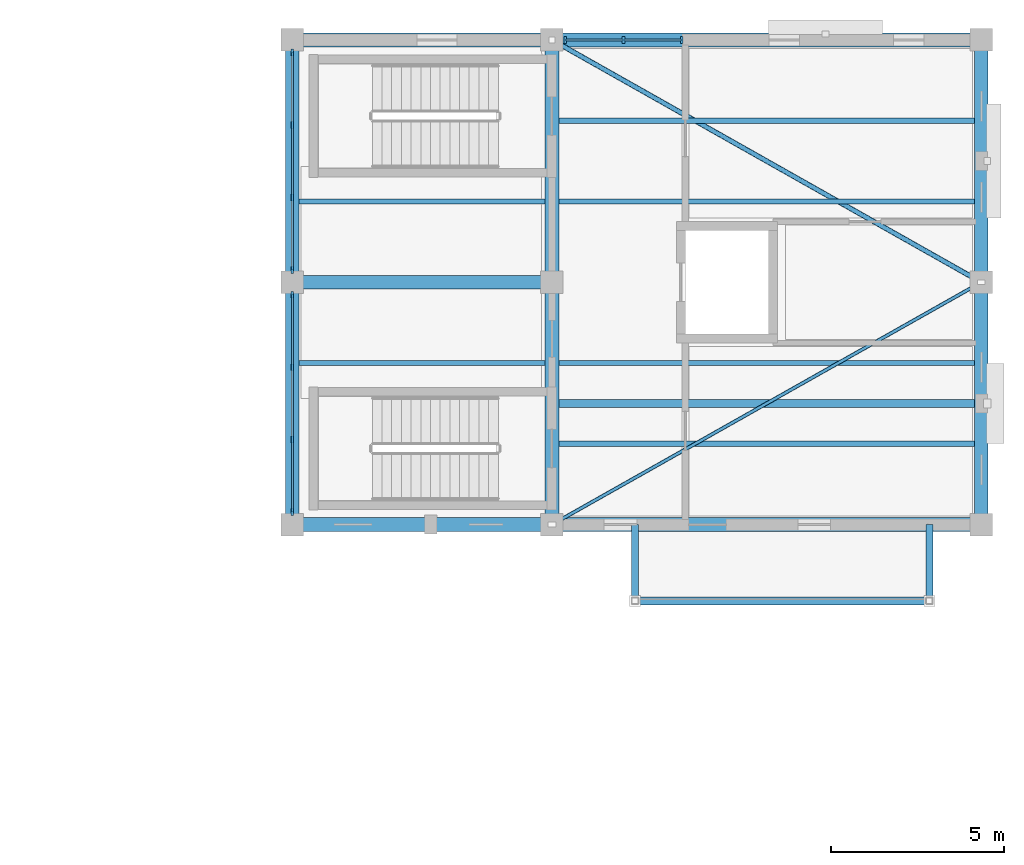
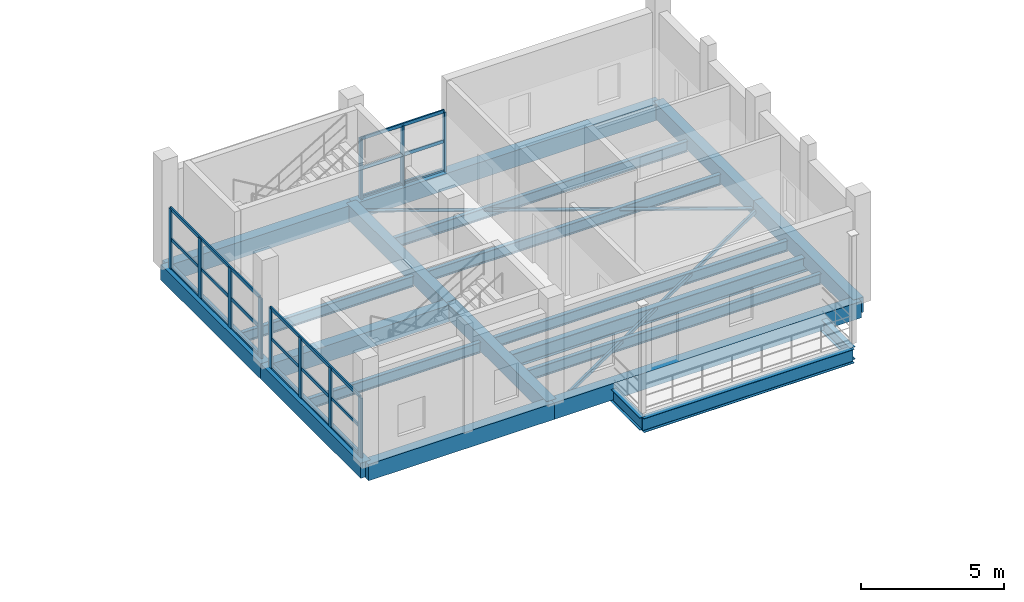
# One storey, part 17 of 40: 22 members, 21 beams, 3 elements without a shape of their own.
"""IFC4 building model written with IfcOpenShell, lengths in metres."""

from ifc_helpers import new_model, si_unit, direction, frame, origin, origin_2d, place, context, subcontext, project, spatial, rectangle, hollow_rectangle, hollow_circle, i_section, extrude, material, layer, layer_set, material_profile, profile_set, type_object, element, aggregate, save


model = new_model("IFC4")

# Units and contexts
model_context = context("Model", 3, precision=1e-05, world=origin(), true_north=direction((0.0, 1.0)))
body_context = subcontext(model_context, "Body", "Model", "MODEL_VIEW")
ifc_project = project(units=[si_unit("LENGTHUNIT", "METRE"), si_unit("AREAUNIT", "SQUARE_METRE"), si_unit("VOLUMEUNIT", "CUBIC_METRE"), si_unit("PLANEANGLEUNIT", "RADIAN"), si_unit("MASSUNIT", "GRAM", prefix="KILO")], contexts=[model_context])

# Site, building, storey
site_placement = place(None, origin())
site = spatial("IfcSite", under=ifc_project, at=site_placement, CompositionType="ELEMENT")
building_placement = place(site_placement, origin())
building = spatial("IfcBuilding", under=site, at=building_placement, Name="Trellovar Central Fire Station", CompositionType="ELEMENT")
storey_placement = place(building_placement, frame((0.0, 0.0, 12.75)))
storey = spatial("IfcBuildingStorey", under=building, at=storey_placement, Name="L04", CompositionType="ELEMENT", Elevation=12.75)

# Beams
ifc_material_1 = material(Name="Concrete C40/50", Category="concrete")
ifc_material_profile_1 = material_profile(ifc_material_1, rectangle(XDim=0.39990234375, YDim=0.699951171875, at=origin_2d()), Name="RC400X700")
ifc_profile_set_1 = profile_set([ifc_material_profile_1], Name="Concrete C40/50")
beam_type_1 = type_object("IfcBeamType", Name="BM-G3", PredefinedType="BEAM", material=ifc_profile_set_1)
beam_1_placement = place(storey_placement, frame((141.10009765625, 59.0, -0.35009765625), z_axis=(1.0, 0.0, 0.0), x_axis=(0.0, 1.0, 0.0)))
element("IfcBeam", 1, at=beam_1_placement, inside=storey, type_object=beam_type_1, Name="L04 beam G-3", PredefinedType="BEAM", context=body_context, shape_type="SweptSolid", body=[
    extrude(rectangle(XDim=0.39990234375, YDim=0.699951171875, at=origin_2d()), origin(), (0.0, 0.0, 1.0), 7.5),
])
beam_2_placement = place(storey_placement, frame((148.60009765625, 59.0, -0.35009765625), z_axis=(1.0, 0.0, 0.0), x_axis=(0.0, 1.0, 0.0)))
element("IfcBeam", 2, at=beam_2_placement, inside=storey, type_object=beam_type_1, Name="L04 beam G-3", PredefinedType="BEAM", context=body_context, shape_type="SweptSolid", body=[
    extrude(rectangle(XDim=0.39990234375, YDim=0.699951171875, at=origin_2d()), origin(), (0.0, 0.0, 1.0), 12.39990234375),
])
for number, where, z_axis, x_axis, name in (
    (3, (141.10009765625, 66.0, -0.35009765625), (1.0, 0.0, 0.0), (0.0, 1.0, 0.0), "L04 beam G-3"),
    (4, (141.10009765625, 73.0, -0.35009765625), (1.0, 0.0, 0.0), (0.0, 1.0, 0.0), "L04 beam G-3"),
):
    element("IfcBeam", number, at=place(storey_placement, frame(where, z_axis=z_axis, x_axis=x_axis)), inside=storey, type_object=beam_type_1, Name=name, PredefinedType="BEAM", context=body_context, shape_type="SweptSolid", body=[
        extrude(rectangle(XDim=0.39990234375, YDim=0.699951171875, at=origin_2d()), origin(), (0.0, 0.0, 1.0), 7.5),
    ])
beam_3_placement = place(storey_placement, frame((148.60009765625, 73.0, -0.35009765625), z_axis=(1.0, 0.0, 0.0), x_axis=(0.0, 1.0, 0.0)))
element("IfcBeam", 5, at=beam_3_placement, inside=storey, type_object=beam_type_1, Name="L04 beam G-3", PredefinedType="BEAM", context=body_context, shape_type="SweptSolid", body=[
    extrude(rectangle(XDim=0.39990234375, YDim=0.699951171875, at=origin_2d()), origin(), (0.0, 0.0, 1.0), 12.39990234375),
])
ifc_material_2 = material(Name="Concrete C40/50", Category="concrete")
ifc_material_profile_2 = material_profile(ifc_material_2, rectangle(XDim=0.39990234375, YDim=0.64990234375, at=origin_2d()), Name="RC400X650")
ifc_profile_set_2 = profile_set([ifc_material_profile_2], Name="Concrete C40/50")
beam_type_2 = type_object("IfcBeamType", Name="BM-G4", PredefinedType="BEAM", material=ifc_profile_set_2)
for number, where, z_axis, x_axis, name in (
    (6, (141.10009765625, 59.0, -0.324951171875), (0.0, 1.0, 0.0), (-1.0, 0.0, 0.0), "L04 beam G-4"),
    (7, (141.10009765625, 66.0, -0.324951171875), (0.0, 1.0, 0.0), (-1.0, 0.0, 0.0), "L04 beam G-4"),
    (8, (148.60009765625, 59.0, -0.324951171875), (0.0, 1.0, 0.0), (-1.0, 0.0, 0.0), "L04 beam G-4"),
    (9, (148.60009765625, 66.0, -0.324951171875), (0.0, 1.0, 0.0), (-1.0, 0.0, 0.0), "L04 beam G-4"),
    (10, (161.0, 59.0, -0.324951171875), (0.0, 1.0, 0.0), (-1.0, 0.0, 0.0), "L04 beam G-4"),
    (11, (161.0, 66.0, -0.324951171875), (0.0, 1.0, 0.0), (-1.0, 0.0, 0.0), "L04 beam G-4"),
):
    element("IfcBeam", number, at=place(storey_placement, frame(where, z_axis=z_axis, x_axis=x_axis)), inside=storey, type_object=beam_type_2, Name=name, PredefinedType="BEAM", context=body_context, shape_type="SweptSolid", body=[
        extrude(rectangle(XDim=0.39990234375, YDim=0.64990234375, at=origin_2d()), origin(), (0.0, 0.0, 1.0), 7.0),
    ])
ifc_material_3 = material(Name="Steel ASTM A992 Grade 50", Category="steel")
ifc_material_profile_3 = material_profile(ifc_material_3, i_section(OverallWidth=0.15283203125, OverallDepth=0.45458984375, WebThickness=0.008056640625, FlangeThickness=0.01318359375, FilletRadius=0.0126953125, at=origin_2d()), Name="W18X40")
ifc_profile_set_3 = profile_set([ifc_material_profile_3], Name="Steel ASTM A992 Grade 50")
beam_type_3 = type_object("IfcBeamType", Name="BM-SW10", PredefinedType="JOIST", material=ifc_profile_set_3)
for number, where, z_axis, x_axis, name in (
    (12, (141.294921875, 63.666748046875, -0.46728515625), (1.0, 0.0, 0.0), (0.0, 1.0, 0.0), "L04 beam SB-10"),
    (13, (141.294921875, 68.333251953125, -0.46728515625), (1.0, 0.0, 0.0), (0.0, 1.0, 0.0), "L04 beam SB-10"),
):
    element("IfcBeam", number, at=place(storey_placement, frame(where, z_axis=z_axis, x_axis=x_axis)), inside=storey, type_object=beam_type_3, Name=name, PredefinedType="JOIST", context=body_context, shape_type="SweptSolid", body=[
        extrude(i_section(OverallWidth=0.15283203125, OverallDepth=0.45458984375, WebThickness=0.008056640625, FlangeThickness=0.01318359375, FilletRadius=0.0126953125, at=origin_2d()), origin(), (0.0, 0.0, 1.0), 7.110107421875),
    ])
for number, where, z_axis, x_axis, name in (
    (14, (148.794921875, 61.333251953125, -0.46728515625), (1.0, 0.0, 0.0), (0.0, 1.0, 0.0), "L04 beam SB-10"),
    (15, (148.794921875, 63.666748046875, -0.46728515625), (1.0, 0.0, 0.0), (0.0, 1.0, 0.0), "L04 beam SB-10"),
    (16, (148.794921875, 68.333251953125, -0.46728515625), (1.0, 0.0, 0.0), (0.0, 1.0, 0.0), "L04 beam SB-10"),
    (17, (148.794921875, 70.666748046875, -0.46728515625), (1.0, 0.0, 0.0), (0.0, 1.0, 0.0), "L04 beam SB-10"),
):
    element("IfcBeam", number, at=place(storey_placement, frame(where, z_axis=z_axis, x_axis=x_axis)), inside=storey, type_object=beam_type_3, Name=name, PredefinedType="JOIST", context=body_context, shape_type="SweptSolid", body=[
        extrude(i_section(OverallWidth=0.15283203125, OverallDepth=0.45458984375, WebThickness=0.008056640625, FlangeThickness=0.01318359375, FilletRadius=0.0126953125, at=origin_2d()), origin(), (0.0, 0.0, 1.0), 12.010009765625),
    ])
ifc_material_4 = material(Name="Steel ASTM A992 Grade 50", Category="steel")
ifc_material_profile_4 = material_profile(ifc_material_4, i_section(OverallWidth=0.22900390625, OverallDepth=0.612060546875, WebThickness=0.011962890625, FlangeThickness=0.01953125, FilletRadius=0.01513671875, at=origin_2d()), Name="W24X84")
ifc_profile_set_4 = profile_set([ifc_material_profile_4], Name="Steel ASTM A992 Grade 50")
beam_type_4 = type_object("IfcBeamType", Name="BM-SW5", PredefinedType="BEAM", material=ifc_profile_set_4)
beam_4_placement = place(storey_placement, frame((148.60009765625, 62.5, -0.546142578125), z_axis=(1.0, 0.0, 0.0), x_axis=(0.0, 1.0, 0.0)))
element("IfcBeam", 18, at=beam_4_placement, inside=storey, type_object=beam_type_4, Name="V2 L04 44.5 kN rappel anchor beam", PredefinedType="BEAM", context=body_context, shape_type="SweptSolid", body=[
    extrude(i_section(OverallWidth=0.22900390625, OverallDepth=0.612060546875, WebThickness=0.011962890625, FlangeThickness=0.01953125, FilletRadius=0.01513671875, at=origin_2d()), origin(), (0.0, 0.0, 1.0), 12.39990234375),
])
ifc_material_5 = material(Name="Steel ASTM A992 Grade 50", Category="steel")
ifc_material_profile_5 = material_profile(ifc_material_5, i_section(OverallWidth=0.227783203125, OverallDepth=0.60205078125, WebThickness=0.010498046875, FlangeThickness=0.014892578125, FilletRadius=0.01513671875, at=origin_2d()), Name="W24X68")
ifc_profile_set_5 = profile_set([ifc_material_profile_5], Name="Steel ASTM A992 Grade 50")
beam_type_5 = type_object("IfcBeamType", Name="BM-SW6", PredefinedType="BEAM", material=ifc_profile_set_5)
beam_5_placement = place(storey_placement, frame((151.0, 56.800048828125, -0.531005859375), z_axis=(1.0, 0.0, 0.0), x_axis=(0.0, 1.0, 0.0)))
element("IfcBeam", 19, at=beam_5_placement, inside=storey, type_object=beam_type_5, Name="V2 L04 balcony edge beam", PredefinedType="BEAM", context=body_context, shape_type="SweptSolid", body=[
    extrude(i_section(OverallWidth=0.227783203125, OverallDepth=0.60205078125, WebThickness=0.010498046875, FlangeThickness=0.014892578125, FilletRadius=0.01513671875, at=origin_2d()), origin(), (0.0, 0.0, 1.0), 8.5),
])
ifc_material_6 = material(Name="Steel ASTM A992 Grade 50", Category="steel")
ifc_material_profile_6 = material_profile(ifc_material_6, i_section(OverallWidth=0.209228515625, OverallDepth=0.533447265625, WebThickness=0.01025390625, FlangeThickness=0.015625, FilletRadius=0.013916015625, at=origin_2d()), Name="W21X62")
ifc_profile_set_6 = profile_set([ifc_material_profile_6], Name="Steel ASTM A992 Grade 50")
beam_type_6 = type_object("IfcBeamType", Name="BM-SW7", PredefinedType="BEAM", material=ifc_profile_set_6)
for number, where, z_axis, x_axis, name in (
    (20, (151.0, 56.800048828125, -0.49658203125), (0.0, 1.0, 0.0), (-1.0, 0.0, 0.0), "V2 L04 balcony tie beam"),
    (21, (159.5, 56.800048828125, -0.49658203125), (0.0, 1.0, 0.0), (-1.0, 0.0, 0.0), "V2 L04 balcony tie beam"),
):
    element("IfcBeam", number, at=place(storey_placement, frame(where, z_axis=z_axis, x_axis=x_axis)), inside=storey, type_object=beam_type_6, Name=name, PredefinedType="BEAM", context=body_context, shape_type="SweptSolid", body=[
        extrude(i_section(OverallWidth=0.209228515625, OverallDepth=0.533447265625, WebThickness=0.01025390625, FlangeThickness=0.015625, FilletRadius=0.013916015625, at=origin_2d()), origin(), (0.0, 0.0, 1.0), 2.199951171875),
    ])

# Curtain wall, members
ifc_material_7 = material(Name="Thermally broken bronze anodized aluminum", Category="aluminium")
ifc_layer_1 = layer(ifc_material_7, 0.159912109375)
ifc_layer_set_1 = layer_set([ifc_layer_1], Name="Thermally broken bronze anodized aluminum")
curtain_wall_type_1 = type_object("IfcCurtainWallType", Name="CW-08", PredefinedType="NOTDEFINED", material=ifc_layer_set_1)
curtain_wall_1_placement = place(storey_placement, origin())
curtain_wall_1 = element("IfcCurtainWall", 22, at=curtain_wall_1_placement, inside=storey, type_object=curtain_wall_type_1, Name="V2 L04 north lobby curtain wall", PredefinedType="NOTDEFINED")
ifc_material_8 = material(Name="Thermally broken bronze anodized aluminum", Category="aluminium")
ifc_material_profile_7 = material_profile(ifc_material_8, rectangle(XDim=0.074951171875, YDim=0.199951171875, at=origin_2d()), Name="ALU75X200")
ifc_profile_set_7 = profile_set([ifc_material_profile_7], Name="Thermally broken bronze anodized aluminum")
member_type_1 = type_object("IfcMemberType", Name="CWM-1", PredefinedType="MULLION", material=ifc_profile_set_7)
member_1_placement = place(storey_placement, frame((152.35009765625, 73.0, 0.0), z_axis=(0.0, 0.0, 1.0), x_axis=(1.0, 0.0, 0.0)))
member_1 = element("IfcMember", 23, at=member_1_placement, type_object=member_type_1, Name="CW3-L04-0162 mullion 1", PredefinedType="MULLION", context=body_context, shape_type="SweptSolid", body=[
    extrude(rectangle(XDim=0.074951171875, YDim=0.199951171875, at=origin_2d()), origin(), (0.0, 0.0, 1.0), 2.550048828125),
])
member_2_placement = place(storey_placement, frame((150.6650390625, 73.0, 0.0), z_axis=(0.0, 0.0, 1.0), x_axis=(1.0, 0.0, 0.0)))
member_2 = element("IfcMember", 24, at=member_2_placement, type_object=member_type_1, Name="CW3-L04-0162 mullion 2", PredefinedType="MULLION", context=body_context, shape_type="SweptSolid", body=[
    extrude(rectangle(XDim=0.074951171875, YDim=0.199951171875, at=origin_2d()), origin(), (0.0, 0.0, 1.0), 2.550048828125),
])
member_3_placement = place(storey_placement, frame((148.97998046875, 73.0, 0.0), z_axis=(0.0, 0.0, 1.0), x_axis=(1.0, 0.0, 0.0)))
member_3 = element("IfcMember", 25, at=member_3_placement, type_object=member_type_1, Name="CW3-L04-0162 mullion 3", PredefinedType="MULLION", context=body_context, shape_type="SweptSolid", body=[
    extrude(rectangle(XDim=0.074951171875, YDim=0.199951171875, at=origin_2d()), origin(), (0.0, 0.0, 1.0), 2.550048828125),
])

ifc_material_9 = material(Name="Thermally broken bronze anodized aluminum", Category="aluminium")
ifc_layer_2 = layer(ifc_material_9, 0.159912109375)
ifc_layer_set_2 = layer_set([ifc_layer_2], Name="Thermally broken bronze anodized aluminum")
curtain_wall_type_2 = type_object("IfcCurtainWallType", Name="CW-09", PredefinedType="NOTDEFINED", material=ifc_layer_set_2)
curtain_wall_2_placement = place(storey_placement, origin())
curtain_wall_2 = element("IfcCurtainWall", 26, at=curtain_wall_2_placement, inside=storey, type_object=curtain_wall_type_2, Name="V2 L04 west drill yard curtain wall", PredefinedType="NOTDEFINED")
member_4_placement = place(storey_placement, frame((141.10009765625, 59.360107421875, 0.0), z_axis=(0.0, 0.0, 1.0), x_axis=(1.0, 0.0, 0.0)))
member_4 = element("IfcMember", 27, at=member_4_placement, type_object=member_type_1, Name="CW3-L04-0163 mullion 1", PredefinedType="MULLION", context=body_context, shape_type="SweptSolid", body=[
    extrude(rectangle(XDim=0.074951171875, YDim=0.199951171875, at=origin_2d()), origin(), (0.0, 0.0, 1.0), 2.550048828125),
])
member_5_placement = place(storey_placement, frame((141.10009765625, 61.453369140625, 0.0), z_axis=(0.0, 0.0, 1.0), x_axis=(1.0, 0.0, 0.0)))
member_5 = element("IfcMember", 28, at=member_5_placement, type_object=member_type_1, Name="CW3-L04-0163 mullion 2", PredefinedType="MULLION", context=body_context, shape_type="SweptSolid", body=[
    extrude(rectangle(XDim=0.074951171875, YDim=0.199951171875, at=origin_2d()), origin(), (0.0, 0.0, 1.0), 2.550048828125),
])
member_6_placement = place(storey_placement, frame((141.10009765625, 63.546630859375, 0.0), z_axis=(0.0, 0.0, 1.0), x_axis=(1.0, 0.0, 0.0)))
member_6 = element("IfcMember", 29, at=member_6_placement, type_object=member_type_1, Name="CW3-L04-0163 mullion 3", PredefinedType="MULLION", context=body_context, shape_type="SweptSolid", body=[
    extrude(rectangle(XDim=0.074951171875, YDim=0.199951171875, at=origin_2d()), origin(), (0.0, 0.0, 1.0), 2.550048828125),
])
member_7_placement = place(storey_placement, frame((141.10009765625, 65.639892578125, 0.0), z_axis=(0.0, 0.0, 1.0), x_axis=(1.0, 0.0, 0.0)))
member_7 = element("IfcMember", 30, at=member_7_placement, type_object=member_type_1, Name="CW3-L04-0163 mullion 4", PredefinedType="MULLION", context=body_context, shape_type="SweptSolid", body=[
    extrude(rectangle(XDim=0.074951171875, YDim=0.199951171875, at=origin_2d()), origin(), (0.0, 0.0, 1.0), 2.550048828125),
])

curtain_wall_3_placement = place(storey_placement, origin())
curtain_wall_3 = element("IfcCurtainWall", 31, at=curtain_wall_3_placement, inside=storey, type_object=curtain_wall_type_2, Name="V2 L04 west drill yard curtain wall", PredefinedType="NOTDEFINED")
member_8_placement = place(storey_placement, frame((141.10009765625, 66.360107421875, 0.0), z_axis=(0.0, 0.0, 1.0), x_axis=(1.0, 0.0, 0.0)))
member_8 = element("IfcMember", 32, at=member_8_placement, type_object=member_type_1, Name="CW3-L04-0164 mullion 1", PredefinedType="MULLION", context=body_context, shape_type="SweptSolid", body=[
    extrude(rectangle(XDim=0.074951171875, YDim=0.199951171875, at=origin_2d()), origin(), (0.0, 0.0, 1.0), 2.550048828125),
])
member_9_placement = place(storey_placement, frame((141.10009765625, 68.453369140625, 0.0), z_axis=(0.0, 0.0, 1.0), x_axis=(1.0, 0.0, 0.0)))
member_9 = element("IfcMember", 33, at=member_9_placement, type_object=member_type_1, Name="CW3-L04-0164 mullion 2", PredefinedType="MULLION", context=body_context, shape_type="SweptSolid", body=[
    extrude(rectangle(XDim=0.074951171875, YDim=0.199951171875, at=origin_2d()), origin(), (0.0, 0.0, 1.0), 2.550048828125),
])
member_10_placement = place(storey_placement, frame((141.10009765625, 70.546630859375, 0.0), z_axis=(0.0, 0.0, 1.0), x_axis=(1.0, 0.0, 0.0)))
member_10 = element("IfcMember", 34, at=member_10_placement, type_object=member_type_1, Name="CW3-L04-0164 mullion 3", PredefinedType="MULLION", context=body_context, shape_type="SweptSolid", body=[
    extrude(rectangle(XDim=0.074951171875, YDim=0.199951171875, at=origin_2d()), origin(), (0.0, 0.0, 1.0), 2.550048828125),
])
member_11_placement = place(storey_placement, frame((141.10009765625, 72.639892578125, 0.0), z_axis=(0.0, 0.0, 1.0), x_axis=(1.0, 0.0, 0.0)))
member_11 = element("IfcMember", 35, at=member_11_placement, type_object=member_type_1, Name="CW3-L04-0164 mullion 4", PredefinedType="MULLION", context=body_context, shape_type="SweptSolid", body=[
    extrude(rectangle(XDim=0.074951171875, YDim=0.199951171875, at=origin_2d()), origin(), (0.0, 0.0, 1.0), 2.550048828125),
])

# Member
ifc_material_10 = material(Name="Thermally broken bronze anodized aluminum", Category="aluminium")
ifc_material_profile_8 = material_profile(ifc_material_10, rectangle(XDim=0.06005859375, YDim=0.139892578125, at=origin_2d()), Name="ALU60X140")
ifc_profile_set_8 = profile_set([ifc_material_profile_8], Name="Thermally broken bronze anodized aluminum")
member_type_2 = type_object("IfcMemberType", Name="CWT-1", PredefinedType="USERDEFINED", material=ifc_profile_set_8)
member_12_placement = place(storey_placement, frame((152.35009765625, 73.0, 0.0), z_axis=(-1.0, 0.0, 0.0), x_axis=(0.0, -1.0, 0.0)))
member_12 = element("IfcMember", 36, at=member_12_placement, type_object=member_type_2, Name="CW3-L04-0162 transom 1", ObjectType="TRANSOM", PredefinedType="USERDEFINED", context=body_context, shape_type="SweptSolid", body=[
    extrude(rectangle(XDim=0.06005859375, YDim=0.139892578125, at=origin_2d()), origin(), (0.0, 0.0, 1.0), 3.3701171875),
])

member_13_placement = place(storey_placement, frame((152.35009765625, 73.0, 1.27490234375), z_axis=(-1.0, 0.0, 0.0), x_axis=(0.0, -1.0, 0.0)))
member_13 = element("IfcMember", 37, at=member_13_placement, type_object=member_type_2, Name="CW3-L04-0162 transom 2", ObjectType="TRANSOM", PredefinedType="USERDEFINED", context=body_context, shape_type="SweptSolid", body=[
    extrude(rectangle(XDim=0.06005859375, YDim=0.139892578125, at=origin_2d()), origin(), (0.0, 0.0, 1.0), 3.3701171875),
])

member_14_placement = place(storey_placement, frame((152.35009765625, 73.0, 2.550048828125), z_axis=(-1.0, 0.0, 0.0), x_axis=(0.0, -1.0, 0.0)))
member_14 = element("IfcMember", 38, at=member_14_placement, type_object=member_type_2, Name="CW3-L04-0162 transom 3", ObjectType="TRANSOM", PredefinedType="USERDEFINED", context=body_context, shape_type="SweptSolid", body=[
    extrude(rectangle(XDim=0.06005859375, YDim=0.139892578125, at=origin_2d()), origin(), (0.0, 0.0, 1.0), 3.3701171875),
])

aggregate(curtain_wall_1, [member_1, member_2, member_3, member_12, member_13, member_14])

member_15_placement = place(storey_placement, frame((141.10009765625, 59.360107421875, 0.0), z_axis=(0.0, 1.0, 0.0), x_axis=(-1.0, 0.0, 0.0)))
member_15 = element("IfcMember", 39, at=member_15_placement, type_object=member_type_2, Name="CW3-L04-0163 transom 1", ObjectType="TRANSOM", PredefinedType="USERDEFINED", context=body_context, shape_type="SweptSolid", body=[
    extrude(rectangle(XDim=0.06005859375, YDim=0.139892578125, at=origin_2d()), origin(), (0.0, 0.0, 1.0), 6.27978515625),
])

member_16_placement = place(storey_placement, frame((141.10009765625, 59.360107421875, 1.27490234375), z_axis=(0.0, 1.0, 0.0), x_axis=(-1.0, 0.0, 0.0)))
member_16 = element("IfcMember", 40, at=member_16_placement, type_object=member_type_2, Name="CW3-L04-0163 transom 2", ObjectType="TRANSOM", PredefinedType="USERDEFINED", context=body_context, shape_type="SweptSolid", body=[
    extrude(rectangle(XDim=0.06005859375, YDim=0.139892578125, at=origin_2d()), origin(), (0.0, 0.0, 1.0), 6.27978515625),
])

member_17_placement = place(storey_placement, frame((141.10009765625, 59.360107421875, 2.550048828125), z_axis=(0.0, 1.0, 0.0), x_axis=(-1.0, 0.0, 0.0)))
member_17 = element("IfcMember", 41, at=member_17_placement, type_object=member_type_2, Name="CW3-L04-0163 transom 3", ObjectType="TRANSOM", PredefinedType="USERDEFINED", context=body_context, shape_type="SweptSolid", body=[
    extrude(rectangle(XDim=0.06005859375, YDim=0.139892578125, at=origin_2d()), origin(), (0.0, 0.0, 1.0), 6.27978515625),
])

aggregate(curtain_wall_2, [member_4, member_5, member_6, member_7, member_15, member_16, member_17])

member_18_placement = place(storey_placement, frame((141.10009765625, 66.360107421875, 0.0), z_axis=(0.0, 1.0, 0.0), x_axis=(-1.0, 0.0, 0.0)))
member_18 = element("IfcMember", 42, at=member_18_placement, type_object=member_type_2, Name="CW3-L04-0164 transom 1", ObjectType="TRANSOM", PredefinedType="USERDEFINED", context=body_context, shape_type="SweptSolid", body=[
    extrude(rectangle(XDim=0.06005859375, YDim=0.139892578125, at=origin_2d()), origin(), (0.0, 0.0, 1.0), 6.27978515625),
])

member_19_placement = place(storey_placement, frame((141.10009765625, 66.360107421875, 1.27490234375), z_axis=(0.0, 1.0, 0.0), x_axis=(-1.0, 0.0, 0.0)))
member_19 = element("IfcMember", 43, at=member_19_placement, type_object=member_type_2, Name="CW3-L04-0164 transom 2", ObjectType="TRANSOM", PredefinedType="USERDEFINED", context=body_context, shape_type="SweptSolid", body=[
    extrude(rectangle(XDim=0.06005859375, YDim=0.139892578125, at=origin_2d()), origin(), (0.0, 0.0, 1.0), 6.27978515625),
])

member_20_placement = place(storey_placement, frame((141.10009765625, 66.360107421875, 2.550048828125), z_axis=(0.0, 1.0, 0.0), x_axis=(-1.0, 0.0, 0.0)))
member_20 = element("IfcMember", 44, at=member_20_placement, type_object=member_type_2, Name="CW3-L04-0164 transom 3", ObjectType="TRANSOM", PredefinedType="USERDEFINED", context=body_context, shape_type="SweptSolid", body=[
    extrude(rectangle(XDim=0.06005859375, YDim=0.139892578125, at=origin_2d()), origin(), (0.0, 0.0, 1.0), 6.27978515625),
])

aggregate(curtain_wall_3, [member_8, member_9, member_10, member_11, member_18, member_19, member_20])

# Members
ifc_material_11 = material(Name="Steel ASTM A500 Grade C", Category="steel")
ifc_material_profile_9 = material_profile(ifc_material_11, hollow_rectangle(XDim=0.1015625, YDim=0.15234375, WallThickness=0.005859375, InnerFilletRadius=0.005859375, OuterFilletRadius=0.01171875, at=origin_2d()), Name="HSS6X4X1/4")
ifc_profile_set_9 = profile_set([ifc_material_profile_9], Name="Steel ASTM A500 Grade C")
member_type_3 = type_object("IfcMemberType", Name="MEM-ST2", PredefinedType="STRUT", material=ifc_profile_set_9)
member_21_placement = place(storey_placement, frame((148.60009765625, 59.0, -0.389892578125), z_axis=(0.870822651699, 0.491597303987, 0.0), x_axis=(-0.491597303987, 0.870822651699, 0.0)))
element("IfcMember", 45, at=member_21_placement, inside=storey, type_object=member_type_3, Name="V2 L04 deck diaphragm strut", PredefinedType="STRUT", context=body_context, shape_type="SweptSolid", body=[
    extrude(hollow_rectangle(XDim=0.1015625, YDim=0.15234375, WallThickness=0.005859375, InnerFilletRadius=0.005859375, OuterFilletRadius=0.01171875, at=origin_2d()), origin(), (0.0, 0.0, 1.0), 14.2392578125),
])
ifc_material_12 = material(Name="Steel ASTM A500 Grade C", Category="steel")
ifc_material_profile_10 = material_profile(ifc_material_12, hollow_circle(Radius=0.070556640625, WallThickness=0.006103515625, at=origin_2d()), Name="HSS5.563X0.258")
ifc_profile_set_10 = profile_set([ifc_material_profile_10], Name="Steel ASTM A500 Grade C")
member_type_4 = type_object("IfcMemberType", Name="MEM-ST4", PredefinedType="STRUT", material=ifc_profile_set_10)
member_22_placement = place(storey_placement, frame((148.60009765625, 73.0, -0.389892578125), z_axis=(0.870822651699, -0.491597303987, 0.0), x_axis=(0.491597303987, 0.870822651699, 0.0)))
element("IfcMember", 46, at=member_22_placement, inside=storey, type_object=member_type_4, Name="V2 L04 deck round HSS strut", PredefinedType="STRUT", context=body_context, shape_type="SweptSolid", body=[
    extrude(hollow_circle(Radius=0.070556640625, WallThickness=0.006103515625, at=origin_2d()), origin(), (0.0, 0.0, 1.0), 14.2392578125),
])

save(model, "model.ifc")
